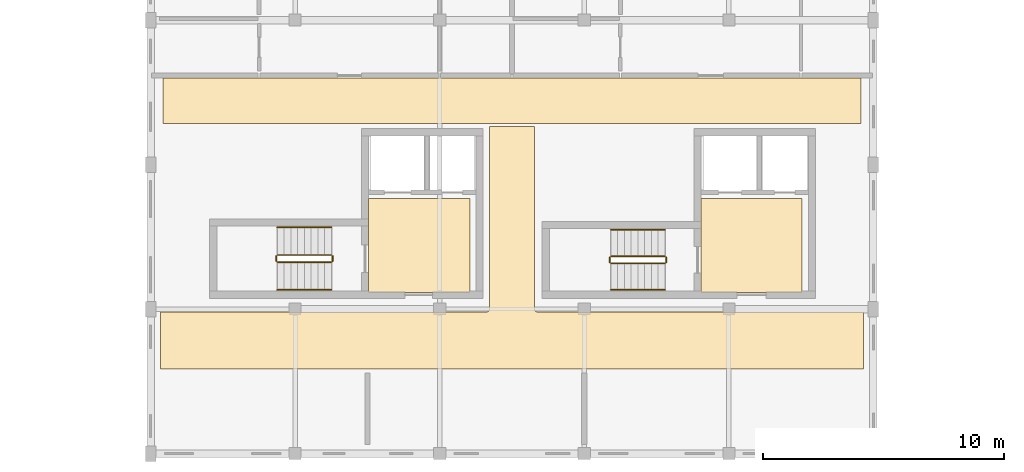
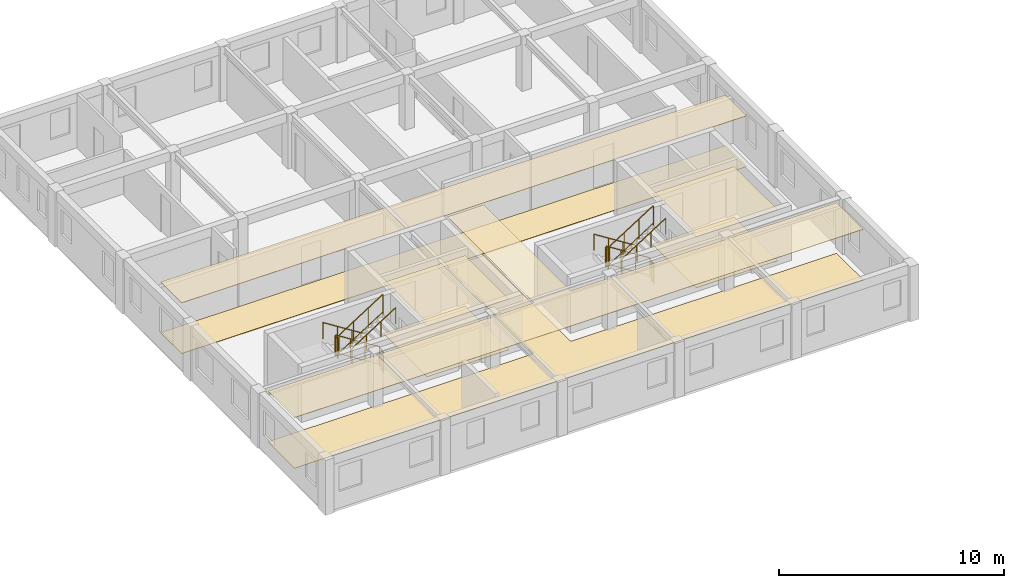
# One storey, part 22 of 23: 12 railings, 8 coverings.
"""IFC4 building model written with IfcOpenShell, lengths in metres."""

from ifc_helpers import new_model, si_unit, direction, frame, origin, origin_2d, place, context, subcontext, project, spatial, polyline, circle, outline, extrude, material, layer, layer_set, type_object, element, save


model = new_model("IFC4")

# Units and contexts
model_context = context("Model", 3, precision=1e-05, world=origin(), true_north=direction((0.0, 1.0)))
body_context = subcontext(model_context, "Body", "Model", "MODEL_VIEW")
ifc_project = project(units=[si_unit("LENGTHUNIT", "METRE"), si_unit("AREAUNIT", "SQUARE_METRE"), si_unit("VOLUMEUNIT", "CUBIC_METRE"), si_unit("PLANEANGLEUNIT", "RADIAN"), si_unit("MASSUNIT", "GRAM", prefix="KILO"), si_unit("POWERUNIT", "WATT"), si_unit("THERMODYNAMICTEMPERATUREUNIT", "KELVIN")], contexts=[model_context])

# Site, building, storey
site_placement = place(None, origin())
site = spatial("IfcSite", under=ifc_project, at=site_placement, CompositionType="ELEMENT")
building_placement = place(site_placement, origin())
building = spatial("IfcBuilding", under=site, at=building_placement, Name="Ruvembo Vaulted Housing Court", CompositionType="ELEMENT")
storey_placement = place(building_placement, frame((0.0, 0.0, 26.89990234375)))
storey = spatial("IfcBuildingStorey", under=building, at=storey_placement, Name="L08", CompositionType="ELEMENT", Elevation=26.89990234375)

# Coverings
ifc_material_1 = material(Name="Perforated Mineral-Fibre Acoustic Tile", Category="gypsum")
ifc_layer_1 = layer(ifc_material_1, 0.02001953125, Name="Perforated Mineral-Fibre Acoustic Tile")
ifc_layer_set_1 = layer_set([ifc_layer_1], Name="Perforated Mineral-Fibre Acoustic Tile")
covering_type_1 = type_object("IfcCoveringType", Name="COV-CEIL-ACOUST", PredefinedType="CEILING", material=ifc_layer_set_1)
covering_1_placement = place(storey_placement, frame((0.0, 0.0, 2.75)))
element("IfcCovering", 1, at=covering_1_placement, inside=storey, type_object=covering_type_1, Name="Protected Core Lobby B1 Ceiling", PredefinedType="CEILING", context=body_context, shape_type="SweptSolid", body=[
    extrude(outline(polyline([(61.25, 94.60009765625), (57.050048828125, 94.60009765625), (57.050048828125, 90.699951171875), (61.25, 90.699951171875), (61.25, 94.60009765625)])), origin(), (0.0, 0.0, 1.0), 0.02001953125),
])
covering_2_placement = place(storey_placement, frame((0.0, 0.0, 2.75)))
element("IfcCovering", 2, at=covering_2_placement, inside=storey, type_object=covering_type_1, Name="Protected Core Lobby B2 Ceiling", PredefinedType="CEILING", context=body_context, shape_type="SweptSolid", body=[
    extrude(outline(polyline([(75.050048828125, 94.60009765625), (70.85009765625, 94.60009765625), (70.85009765625, 90.699951171875), (75.050048828125, 90.699951171875), (75.050048828125, 94.60009765625)])), origin(), (0.0, 0.0, 1.0), 0.02001953125),
])
covering_3_placement = place(storey_placement, frame((0.0, 0.0, 2.75)))
element("IfcCovering", 3, at=covering_3_placement, inside=storey, type_object=covering_type_1, Name="Block B L08 Corridor Ceiling", PredefinedType="CEILING", context=body_context, shape_type="SweptSolid", body=[
    extrude(outline(polyline([(77.590087890625, 87.510009765625), (77.590087890625, 89.889892578125), (64.050048828125, 89.889892578125), (64.039306640625, 89.890380859375), (64.028564453125, 89.89208984375), (64.01806640625, 89.894775390625), (64.0078125, 89.8984375), (63.998046875, 89.903076171875), (63.989013671875, 89.908447265625), (63.980224609375, 89.9150390625), (63.97216796875, 89.922119140625), (63.965087890625, 89.93017578125), (63.95849609375, 89.93896484375), (63.952880859375, 89.947998046875), (63.948486328125, 89.9580078125), (63.944580078125, 89.968017578125), (63.942138671875, 89.978515625), (63.9404296875, 89.9892578125), (63.93994140625, 90.0), (63.93994140625, 97.590087890625), (62.06005859375, 97.590087890625), (62.06005859375, 90.0), (62.0595703125, 89.9892578125), (62.057861328125, 89.978515625), (62.055419921875, 89.968017578125), (62.051513671875, 89.9580078125), (62.047119140625, 89.947998046875), (62.04150390625, 89.93896484375), (62.034912109375, 89.93017578125), (62.02783203125, 89.922119140625), (62.019775390625, 89.9150390625), (62.010986328125, 89.908447265625), (62.001953125, 89.903076171875), (61.9921875, 89.8984375), (61.98193359375, 89.894775390625), (61.971435546875, 89.89208984375), (61.960693359375, 89.890380859375), (61.949951171875, 89.889892578125), (48.409912109375, 89.889892578125), (48.409912109375, 87.510009765625), (77.590087890625, 87.510009765625)])), origin(), (0.0, 0.0, 1.0), 0.02001953125),
])
covering_4_placement = place(storey_placement, frame((0.0, 0.0, 2.75)))
element("IfcCovering", 4, at=covering_4_placement, inside=storey, type_object=covering_type_1, Name="Block B L08 North Sub-Corridor Ceiling", PredefinedType="CEILING", context=body_context, shape_type="SweptSolid", body=[
    extrude(outline(polyline([(48.510009765625, 97.7099609375), (77.489990234375, 97.7099609375), (77.489990234375, 99.590087890625), (48.510009765625, 99.590087890625), (48.510009765625, 97.7099609375)])), origin(), (0.0, 0.0, 1.0), 0.02001953125),
])
ifc_material_2 = material(Name="Polished Cement-Aggregate Terrazzo", Category="stone")
ifc_layer_2 = layer(ifc_material_2, 0.02197265625, Name="Polished Cement-Aggregate Terrazzo")
ifc_layer_set_2 = layer_set([ifc_layer_2], Name="Polished Cement-Aggregate Terrazzo")
covering_type_2 = type_object("IfcCoveringType", Name="COV-FLR-CERAMIC", PredefinedType="FLOORING", material=ifc_layer_set_2)
covering_5_placement = place(storey_placement, origin())
element("IfcCovering", 5, at=covering_5_placement, inside=storey, type_object=covering_type_2, Name="Protected Core Lobby B1 Flooring", PredefinedType="FLOORING", context=body_context, shape_type="SweptSolid", body=[
    extrude(outline(polyline([(61.25, 94.60009765625), (57.050048828125, 94.60009765625), (57.050048828125, 90.699951171875), (61.25, 90.699951171875), (61.25, 94.60009765625)])), origin(), (0.0, 0.0, 1.0), 0.022216796875),
])
covering_6_placement = place(storey_placement, origin())
element("IfcCovering", 6, at=covering_6_placement, inside=storey, type_object=covering_type_2, Name="Protected Core Lobby B2 Flooring", PredefinedType="FLOORING", context=body_context, shape_type="SweptSolid", body=[
    extrude(outline(polyline([(75.050048828125, 94.60009765625), (70.85009765625, 94.60009765625), (70.85009765625, 90.699951171875), (75.050048828125, 90.699951171875), (75.050048828125, 94.60009765625)])), origin(), (0.0, 0.0, 1.0), 0.022216796875),
])
covering_7_placement = place(storey_placement, origin())
element("IfcCovering", 7, at=covering_7_placement, inside=storey, type_object=covering_type_2, Name="Block B L08 Corridor Flooring", PredefinedType="FLOORING", context=body_context, shape_type="SweptSolid", body=[
    extrude(outline(polyline([(77.590087890625, 87.510009765625), (77.590087890625, 89.889892578125), (64.050048828125, 89.889892578125), (64.039306640625, 89.890380859375), (64.028564453125, 89.89208984375), (64.01806640625, 89.894775390625), (64.0078125, 89.8984375), (63.998046875, 89.903076171875), (63.989013671875, 89.908447265625), (63.980224609375, 89.9150390625), (63.97216796875, 89.922119140625), (63.965087890625, 89.93017578125), (63.95849609375, 89.93896484375), (63.952880859375, 89.947998046875), (63.948486328125, 89.9580078125), (63.944580078125, 89.968017578125), (63.942138671875, 89.978515625), (63.9404296875, 89.9892578125), (63.93994140625, 90.0), (63.93994140625, 97.590087890625), (62.06005859375, 97.590087890625), (62.06005859375, 90.0), (62.0595703125, 89.9892578125), (62.057861328125, 89.978515625), (62.055419921875, 89.968017578125), (62.051513671875, 89.9580078125), (62.047119140625, 89.947998046875), (62.04150390625, 89.93896484375), (62.034912109375, 89.93017578125), (62.02783203125, 89.922119140625), (62.019775390625, 89.9150390625), (62.010986328125, 89.908447265625), (62.001953125, 89.903076171875), (61.9921875, 89.8984375), (61.98193359375, 89.894775390625), (61.971435546875, 89.89208984375), (61.960693359375, 89.890380859375), (61.949951171875, 89.889892578125), (48.409912109375, 89.889892578125), (48.409912109375, 87.510009765625), (77.590087890625, 87.510009765625)])), origin(), (0.0, 0.0, 1.0), 0.022216796875),
])
covering_8_placement = place(storey_placement, origin())
element("IfcCovering", 8, at=covering_8_placement, inside=storey, type_object=covering_type_2, Name="Block B L08 North Sub-Corridor Flooring", PredefinedType="FLOORING", context=body_context, shape_type="SweptSolid", body=[
    extrude(outline(polyline([(48.510009765625, 97.7099609375), (77.489990234375, 97.7099609375), (77.489990234375, 99.590087890625), (48.510009765625, 99.590087890625), (48.510009765625, 97.7099609375)])), origin(), (0.0, 0.0, 1.0), 0.022216796875),
])

# Railings
ifc_material_3 = material(Name="Painted Galvanised Steel S275", Category="steel")
ifc_layer_3 = layer(ifc_material_3, 0.06005859375, Name="Painted Galvanised Steel S275")
ifc_layer_set_3 = layer_set([ifc_layer_3], Name="Painted Galvanised Steel S275")
railing_type_1 = type_object("IfcRailingType", Name="RL-STAIR-GR1100", PredefinedType="GUARDRAIL", material=ifc_layer_set_3)
railing_1_placement = place(storey_placement, frame((55.5, 92.25, 0.177978515625)))
element("IfcRailing", 9, at=railing_1_placement, inside=storey, type_object=railing_type_1, Name="L08 ST-B1 stair guard 1", PredefinedType="GUARDRAIL", context=body_context, shape_type="SweptSolid", body=[
    extrude(circle(Radius=0.02392578125, at=origin_2d()), frame((0.0, 0.0, 1.076171875), z_axis=(-0.8442293374, 0.0, 0.53598211339), x_axis=(0.0, -1.0, 0.0)), (0.0, 0.0, 1.0), 2.6533203125),
    extrude(circle(Radius=0.01806640625, at=origin_2d()), frame((0.0, 0.0, 0.1201171875), z_axis=(-0.8442293374, 0.0, 0.53598211339), x_axis=(0.0, -1.0, 0.0)), (0.0, 0.0, 1.0), 2.6533203125),
    extrude(circle(Radius=0.02099609375, at=origin_2d()), origin(), (0.0, 0.0, 1.0), 1.052001953125),
    extrude(circle(Radius=0.02099609375, at=origin_2d()), frame((-0.74658203125, 0.0, 0.47412109375)), (0.0, 0.0, 1.0), 1.052001953125),
    extrude(circle(Radius=0.02099609375, at=origin_2d()), frame((-1.493408203125, 0.0, 0.947998046875)), (0.0, 0.0, 1.0), 1.052001953125),
    extrude(circle(Radius=0.02099609375, at=origin_2d()), frame((-2.239990234375, 0.0, 1.422119140625)), (0.0, 0.0, 1.0), 1.052001953125),
])
railing_2_placement = place(storey_placement, frame((53.2099609375, 92.199951171875, 1.60009765625)))
element("IfcRailing", 10, at=railing_2_placement, inside=storey, type_object=railing_type_1, Name="L08 ST-B1 stair guard 2", PredefinedType="GUARDRAIL", context=body_context, shape_type="SweptSolid", body=[
    extrude(circle(Radius=0.02392578125, at=origin_2d()), frame((0.0, 0.0, 1.076171875), z_axis=(0.0, -1.0, 0.0), x_axis=(1.0, 0.0, 0.0)), (0.0, 0.0, 1.0), 0.199951171875),
    extrude(circle(Radius=0.01806640625, at=origin_2d()), frame((0.0, 0.0, 0.1201171875), z_axis=(0.0, -1.0, 0.0), x_axis=(1.0, 0.0, 0.0)), (0.0, 0.0, 1.0), 0.199951171875),
    extrude(circle(Radius=0.02099609375, at=origin_2d()), origin(), (0.0, 0.0, 1.0), 1.052001953125),
    extrude(circle(Radius=0.02099609375, at=origin_2d()), frame((0.0, -0.199951171875, 0.0)), (0.0, 0.0, 1.0), 1.052001953125),
])
railing_3_placement = place(storey_placement, frame((53.260009765625, 91.949951171875, 1.77783203125)))
element("IfcRailing", 11, at=railing_3_placement, inside=storey, type_object=railing_type_1, Name="L08 ST-B1 stair guard 3", PredefinedType="GUARDRAIL", context=body_context, shape_type="SweptSolid", body=[
    extrude(circle(Radius=0.02392578125, at=origin_2d()), frame((0.0, 0.0, 1.076171875), z_axis=(0.84418770128, 0.0, 0.536047689118), x_axis=(0.0, 1.0, 0.0)), (0.0, 0.0, 1.0), 2.6533203125),
    extrude(circle(Radius=0.01806640625, at=origin_2d()), frame((0.0, 0.0, 0.1201171875), z_axis=(0.84418770128, 0.0, 0.536047689118), x_axis=(0.0, 1.0, 0.0)), (0.0, 0.0, 1.0), 2.6533203125),
    extrude(circle(Radius=0.02099609375, at=origin_2d()), origin(), (0.0, 0.0, 1.0), 1.052001953125),
    extrude(circle(Radius=0.02099609375, at=origin_2d()), frame((0.74658203125, 0.0, 0.47412109375)), (0.0, 0.0, 1.0), 1.052001953125),
    extrude(circle(Radius=0.02099609375, at=origin_2d()), frame((1.493408203125, 0.0, 0.9482421875)), (0.0, 0.0, 1.0), 1.052001953125),
    extrude(circle(Radius=0.02099609375, at=origin_2d()), frame((2.239990234375, 0.0, 1.42236328125)), (0.0, 0.0, 1.0), 1.052001953125),
])
railing_4_placement = place(storey_placement, frame((55.550048828125, 92.199951171875, 0.0)))
element("IfcRailing", 12, at=railing_4_placement, inside=storey, type_object=railing_type_1, Name="L08 ST-B1 stair guard 4", PredefinedType="GUARDRAIL", context=body_context, shape_type="SweptSolid", body=[
    extrude(circle(Radius=0.02392578125, at=origin_2d()), frame((0.0, 0.0, 1.076171875), z_axis=(0.0, -1.0, 0.0), x_axis=(1.0, 0.0, 0.0)), (0.0, 0.0, 1.0), 0.199951171875),
    extrude(circle(Radius=0.01806640625, at=origin_2d()), frame((0.0, 0.0, 0.1201171875), z_axis=(0.0, -1.0, 0.0), x_axis=(1.0, 0.0, 0.0)), (0.0, 0.0, 1.0), 0.199951171875),
    extrude(circle(Radius=0.02099609375, at=origin_2d()), origin(), (0.0, 0.0, 1.0), 1.052001953125),
    extrude(circle(Radius=0.02099609375, at=origin_2d()), frame((0.0, -0.199951171875, 0.0)), (0.0, 0.0, 1.0), 1.052001953125),
])
railing_5_placement = place(storey_placement, frame((69.35009765625, 92.199951171875, 0.177978515625)))
element("IfcRailing", 13, at=railing_5_placement, inside=storey, type_object=railing_type_1, Name="L08 ST-B2 stair guard 1", PredefinedType="GUARDRAIL", context=body_context, shape_type="SweptSolid", body=[
    extrude(circle(Radius=0.02392578125, at=origin_2d()), frame((0.0, 0.0, 1.076171875), z_axis=(-0.8442293374, 0.0, 0.53598211339), x_axis=(0.0, -1.0, 0.0)), (0.0, 0.0, 1.0), 2.6533203125),
    extrude(circle(Radius=0.01806640625, at=origin_2d()), frame((0.0, 0.0, 0.1201171875), z_axis=(-0.8442293374, 0.0, 0.53598211339), x_axis=(0.0, -1.0, 0.0)), (0.0, 0.0, 1.0), 2.6533203125),
    extrude(circle(Radius=0.02099609375, at=origin_2d()), origin(), (0.0, 0.0, 1.0), 1.052001953125),
    extrude(circle(Radius=0.02099609375, at=origin_2d()), frame((-0.74658203125, 0.0, 0.47412109375)), (0.0, 0.0, 1.0), 1.052001953125),
    extrude(circle(Radius=0.02099609375, at=origin_2d()), frame((-1.493408203125, 0.0, 0.947998046875)), (0.0, 0.0, 1.0), 1.052001953125),
    extrude(circle(Radius=0.02099609375, at=origin_2d()), frame((-2.239990234375, 0.0, 1.422119140625)), (0.0, 0.0, 1.0), 1.052001953125),
])
railing_6_placement = place(storey_placement, frame((67.06005859375, 92.14990234375, 1.60009765625)))
element("IfcRailing", 14, at=railing_6_placement, inside=storey, type_object=railing_type_1, Name="L08 ST-B2 stair guard 2", PredefinedType="GUARDRAIL", context=body_context, shape_type="SweptSolid", body=[
    extrude(circle(Radius=0.02392578125, at=origin_2d()), frame((0.0, 0.0, 1.076171875), z_axis=(0.0, -1.0, 0.0), x_axis=(1.0, 0.0, 0.0)), (0.0, 0.0, 1.0), 0.199951171875),
    extrude(circle(Radius=0.01806640625, at=origin_2d()), frame((0.0, 0.0, 0.1201171875), z_axis=(0.0, -1.0, 0.0), x_axis=(1.0, 0.0, 0.0)), (0.0, 0.0, 1.0), 0.199951171875),
    extrude(circle(Radius=0.02099609375, at=origin_2d()), origin(), (0.0, 0.0, 1.0), 1.052001953125),
    extrude(circle(Radius=0.02099609375, at=origin_2d()), frame((0.0, -0.199951171875, 0.0)), (0.0, 0.0, 1.0), 1.052001953125),
])
railing_7_placement = place(storey_placement, frame((67.110107421875, 91.89990234375, 1.77783203125)))
element("IfcRailing", 15, at=railing_7_placement, inside=storey, type_object=railing_type_1, Name="L08 ST-B2 stair guard 3", PredefinedType="GUARDRAIL", context=body_context, shape_type="SweptSolid", body=[
    extrude(circle(Radius=0.02392578125, at=origin_2d()), frame((0.0, 0.0, 1.076171875), z_axis=(0.84418770128, 0.0, 0.536047689118), x_axis=(0.0, 1.0, 0.0)), (0.0, 0.0, 1.0), 2.6533203125),
    extrude(circle(Radius=0.01806640625, at=origin_2d()), frame((0.0, 0.0, 0.1201171875), z_axis=(0.84418770128, 0.0, 0.536047689118), x_axis=(0.0, 1.0, 0.0)), (0.0, 0.0, 1.0), 2.6533203125),
    extrude(circle(Radius=0.02099609375, at=origin_2d()), origin(), (0.0, 0.0, 1.0), 1.052001953125),
    extrude(circle(Radius=0.02099609375, at=origin_2d()), frame((0.74658203125, 0.0, 0.47412109375)), (0.0, 0.0, 1.0), 1.052001953125),
    extrude(circle(Radius=0.02099609375, at=origin_2d()), frame((1.493408203125, 0.0, 0.9482421875)), (0.0, 0.0, 1.0), 1.052001953125),
    extrude(circle(Radius=0.02099609375, at=origin_2d()), frame((2.239990234375, 0.0, 1.42236328125)), (0.0, 0.0, 1.0), 1.052001953125),
])
railing_8_placement = place(storey_placement, frame((69.39990234375, 92.14990234375, 0.0)))
element("IfcRailing", 16, at=railing_8_placement, inside=storey, type_object=railing_type_1, Name="L08 ST-B2 stair guard 4", PredefinedType="GUARDRAIL", context=body_context, shape_type="SweptSolid", body=[
    extrude(circle(Radius=0.02392578125, at=origin_2d()), frame((0.0, 0.0, 1.076171875), z_axis=(0.0, -1.0, 0.0), x_axis=(1.0, 0.0, 0.0)), (0.0, 0.0, 1.0), 0.199951171875),
    extrude(circle(Radius=0.01806640625, at=origin_2d()), frame((0.0, 0.0, 0.1201171875), z_axis=(0.0, -1.0, 0.0), x_axis=(1.0, 0.0, 0.0)), (0.0, 0.0, 1.0), 0.199951171875),
    extrude(circle(Radius=0.02099609375, at=origin_2d()), origin(), (0.0, 0.0, 1.0), 1.052001953125),
    extrude(circle(Radius=0.02099609375, at=origin_2d()), frame((0.0, -0.199951171875, 0.0)), (0.0, 0.0, 1.0), 1.052001953125),
])
ifc_material_4 = material(Name="Brushed Stainless Steel 304", Category="steel")
ifc_layer_4 = layer(ifc_material_4, 0.050048828125, Name="Brushed Stainless Steel 304")
ifc_layer_set_4 = layer_set([ifc_layer_4], Name="Brushed Stainless Steel 304")
railing_type_2 = type_object("IfcRailingType", Name="RL-STAIR-HR920", PredefinedType="HANDRAIL", material=ifc_layer_set_4)
railing_9_placement = place(storey_placement, frame((55.5, 93.39990234375, 0.359375)))
element("IfcRailing", 17, at=railing_9_placement, inside=storey, type_object=railing_type_2, Name="L08 ST-B1 stair handrail 1", PredefinedType="HANDRAIL", context=body_context, shape_type="SweptSolid", body=[
    extrude(circle(Radius=0.02392578125, at=origin_2d()), frame((0.0, 0.0, 0.8759765625), z_axis=(-0.8442293374, 0.0, 0.53598211339), x_axis=(0.0, -1.0, 0.0)), (0.0, 0.0, 1.0), 2.6533203125),
    extrude(circle(Radius=0.02099609375, at=origin_2d()), origin(), (0.0, 0.0, 1.0), 0.851806640625),
    extrude(circle(Radius=0.02099609375, at=origin_2d()), frame((-0.74658203125, 0.0, 0.47412109375)), (0.0, 0.0, 1.0), 0.851806640625),
    extrude(circle(Radius=0.02099609375, at=origin_2d()), frame((-1.493408203125, 0.0, 0.947998046875)), (0.0, 0.0, 1.0), 0.851806640625),
    extrude(circle(Radius=0.02099609375, at=origin_2d()), frame((-2.239990234375, 0.0, 1.422119140625)), (0.0, 0.0, 1.0), 0.851806640625),
])
railing_10_placement = place(storey_placement, frame((53.260009765625, 90.800048828125, 1.95947265625)))
element("IfcRailing", 18, at=railing_10_placement, inside=storey, type_object=railing_type_2, Name="L08 ST-B1 stair handrail 2", PredefinedType="HANDRAIL", context=body_context, shape_type="SweptSolid", body=[
    extrude(circle(Radius=0.02392578125, at=origin_2d()), frame((0.0, 0.0, 0.8759765625), z_axis=(0.8442293374, 0.0, 0.53598211339), x_axis=(0.0, 1.0, 0.0)), (0.0, 0.0, 1.0), 2.6533203125),
    extrude(circle(Radius=0.02099609375, at=origin_2d()), origin(), (0.0, 0.0, 1.0), 0.851806640625),
    extrude(circle(Radius=0.02099609375, at=origin_2d()), frame((0.74658203125, 0.0, 0.47412109375)), (0.0, 0.0, 1.0), 0.851806640625),
    extrude(circle(Radius=0.02099609375, at=origin_2d()), frame((1.493408203125, 0.0, 0.947998046875)), (0.0, 0.0, 1.0), 0.851806640625),
    extrude(circle(Radius=0.02099609375, at=origin_2d()), frame((2.239990234375, 0.0, 1.422119140625)), (0.0, 0.0, 1.0), 0.851806640625),
])
railing_11_placement = place(storey_placement, frame((69.35009765625, 93.300048828125, 0.359375)))
element("IfcRailing", 19, at=railing_11_placement, inside=storey, type_object=railing_type_2, Name="L08 ST-B2 stair handrail 1", PredefinedType="HANDRAIL", context=body_context, shape_type="SweptSolid", body=[
    extrude(circle(Radius=0.02392578125, at=origin_2d()), frame((0.0, 0.0, 0.8759765625), z_axis=(-0.8442293374, 0.0, 0.53598211339), x_axis=(0.0, -1.0, 0.0)), (0.0, 0.0, 1.0), 2.6533203125),
    extrude(circle(Radius=0.02099609375, at=origin_2d()), origin(), (0.0, 0.0, 1.0), 0.851806640625),
    extrude(circle(Radius=0.02099609375, at=origin_2d()), frame((-0.74658203125, 0.0, 0.47412109375)), (0.0, 0.0, 1.0), 0.851806640625),
    extrude(circle(Radius=0.02099609375, at=origin_2d()), frame((-1.493408203125, 0.0, 0.947998046875)), (0.0, 0.0, 1.0), 0.851806640625),
    extrude(circle(Radius=0.02099609375, at=origin_2d()), frame((-2.239990234375, 0.0, 1.422119140625)), (0.0, 0.0, 1.0), 0.851806640625),
])
railing_12_placement = place(storey_placement, frame((67.110107421875, 90.800048828125, 1.95947265625)))
element("IfcRailing", 20, at=railing_12_placement, inside=storey, type_object=railing_type_2, Name="L08 ST-B2 stair handrail 2", PredefinedType="HANDRAIL", context=body_context, shape_type="SweptSolid", body=[
    extrude(circle(Radius=0.02392578125, at=origin_2d()), frame((0.0, 0.0, 0.8759765625), z_axis=(0.8442293374, 0.0, 0.53598211339), x_axis=(0.0, 1.0, 0.0)), (0.0, 0.0, 1.0), 2.6533203125),
    extrude(circle(Radius=0.02099609375, at=origin_2d()), origin(), (0.0, 0.0, 1.0), 0.851806640625),
    extrude(circle(Radius=0.02099609375, at=origin_2d()), frame((0.74658203125, 0.0, 0.47412109375)), (0.0, 0.0, 1.0), 0.851806640625),
    extrude(circle(Radius=0.02099609375, at=origin_2d()), frame((1.493408203125, 0.0, 0.947998046875)), (0.0, 0.0, 1.0), 0.851806640625),
    extrude(circle(Radius=0.02099609375, at=origin_2d()), frame((2.239990234375, 0.0, 1.422119140625)), (0.0, 0.0, 1.0), 0.851806640625),
])

save(model, "model.ifc")
